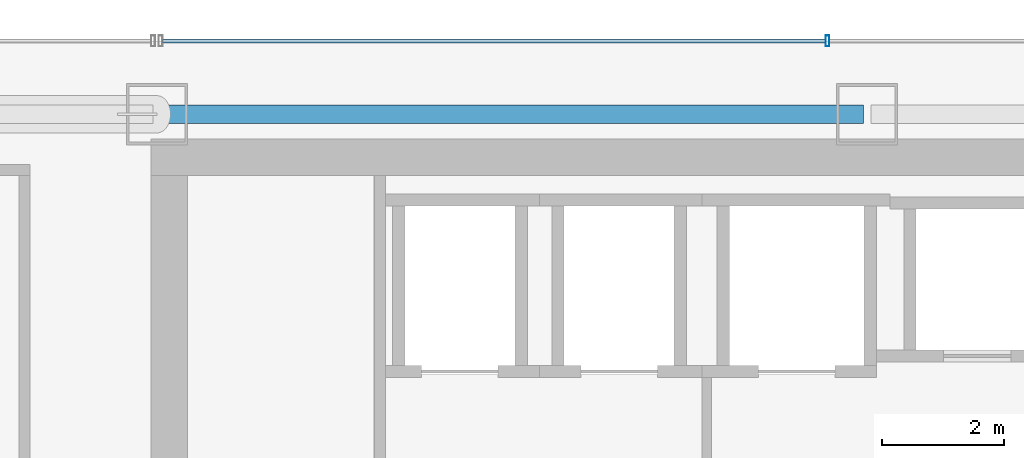
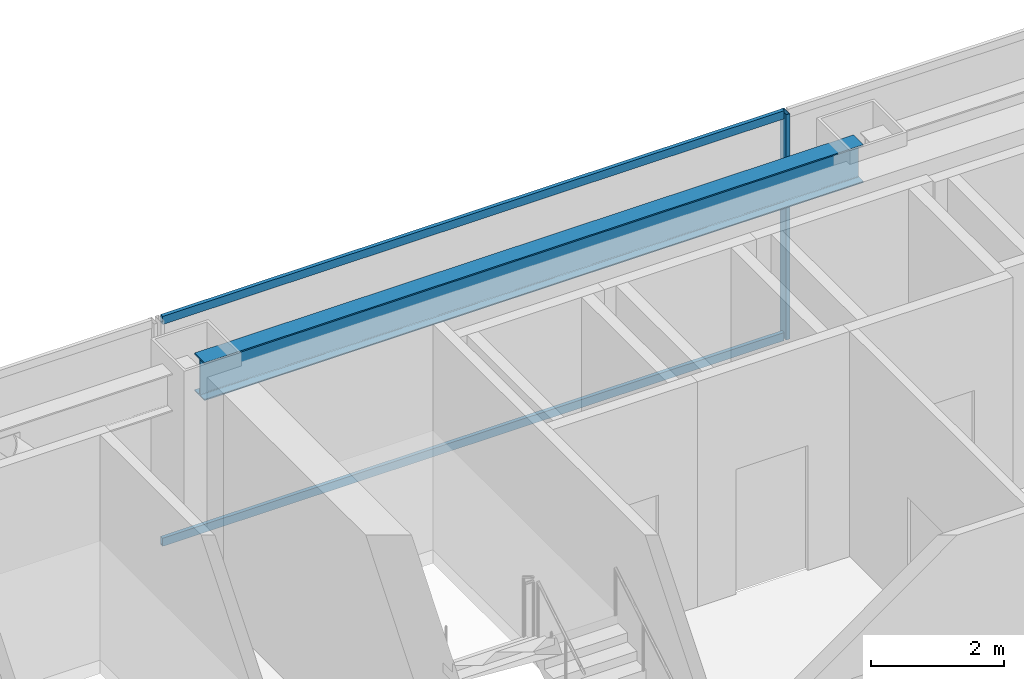
# One storey, part 20 of 35: 3 members, 1 beam, 1 element without a shape of its own.
"""IFC4 building model written with IfcOpenShell, lengths in metres."""

from ifc_helpers import new_model, si_unit, direction, frame, origin, origin_2d, place, context, subcontext, project, spatial, hollow_rectangle, i_section, extrude, material, material_profile, profile_set, type_object, element, aggregate, save


model = new_model("IFC4")

# Units and contexts
model_context = context("Model", 3, precision=1e-05, world=origin(), true_north=direction((0.0, 1.0)))
body_context = subcontext(model_context, "Body", "Model", "MODEL_VIEW")
ifc_project = project(units=[si_unit("LENGTHUNIT", "METRE"), si_unit("AREAUNIT", "SQUARE_METRE"), si_unit("VOLUMEUNIT", "CUBIC_METRE"), si_unit("PLANEANGLEUNIT", "RADIAN"), si_unit("MASSUNIT", "GRAM", prefix="KILO")], contexts=[model_context])

# Site, building, storey
site_placement = place(None, origin())
site = spatial("IfcSite", under=ifc_project, at=site_placement, CompositionType="ELEMENT")
building_placement = place(site_placement, origin())
building = spatial("IfcBuilding", under=site, at=building_placement, Name="Saevonmaru Cultural Tower", CompositionType="ELEMENT")
storey_placement = place(building_placement, frame((0.0, 0.0, 101.60009765625)))
storey = spatial("IfcBuildingStorey", under=building, at=storey_placement, Name="L21", CompositionType="ELEMENT", Elevation=101.60009765625)

# Beam
ifc_material_1 = material(Name="Steel SM355", Category="steel")
ifc_material_profile_1 = material_profile(ifc_material_1, i_section(OverallWidth=0.300048828125, OverallDepth=0.699951171875, WebThickness=0.012939453125, FlangeThickness=0.02392578125, FilletRadius=0.02587890625, at=origin_2d()), Name="H-700x300x13x24")
ifc_profile_set_1 = profile_set([ifc_material_profile_1], Name="Steel SM355")
beam_type = type_object("IfcBeamType", Name="BM-SP-H700", PredefinedType="SPANDREL", material=ifc_profile_set_1)
beam_placement = place(storey_placement, frame((13.659912109375, 54.800048828125, 3.7998046875), z_axis=(1.0, 0.0, 0.0), x_axis=(0.0, 1.0, 0.0)))
element("IfcBeam", 1, at=beam_placement, inside=storey, type_object=beam_type, Name="L21 North Spine Girder 2", PredefinedType="SPANDREL", context=body_context, shape_type="SweptSolid", body=[
    extrude(i_section(OverallWidth=0.300048828125, OverallDepth=0.699951171875, WebThickness=0.012939453125, FlangeThickness=0.02392578125, FilletRadius=0.02587890625, at=origin_2d()), origin(), (0.0, 0.0, 1.0), 11.47998046875),
])

# Curtain wall, members
ifc_material_2 = material(Name="Satin Bronze Anodised Aluminium", Category="aluminium")
curtain_wall_type = type_object("IfcCurtainWallType", Name="CW-TYP-A", PredefinedType="NOTDEFINED", material=ifc_material_2)
curtain_wall_placement = place(storey_placement, origin())
curtain_wall = element("IfcCurtainWall", 2, at=curtain_wall_placement, inside=storey, type_object=curtain_wall_type, Name="L21 North Spine Unitised Curtain Wall E10B", PredefinedType="NOTDEFINED")
ifc_material_profile_2 = material_profile(ifc_material_2, hollow_rectangle(XDim=0.06494140625, YDim=0.179931640625, WallThickness=0.00390625, at=origin_2d()), Name="ALU-MULL-180x65x4")
ifc_profile_set_2 = profile_set([ifc_material_profile_2], Name="Satin Bronze Anodised Aluminium")
member_type_1 = type_object("IfcMemberType", Name="ML-CW-180x65", PredefinedType="MULLION", material=ifc_profile_set_2)
member_1_placement = place(storey_placement, frame((24.55322265625, 56.0, 0.0), z_axis=(0.0, 0.0, 1.0), x_axis=(-1.0, 0.0, 0.0)))
member_1 = element("IfcMember", 3, at=member_1_placement, type_object=member_type_1, Name="CW-TW-L21-E10B mullion 3", PredefinedType="MULLION", context=body_context, shape_type="SweptSolid", body=[
    extrude(hollow_rectangle(XDim=0.06494140625, YDim=0.179931640625, WallThickness=0.00390625, at=origin_2d()), origin(), (0.0, 0.0, 1.0), 4.14990234375),
])
ifc_material_profile_3 = material_profile(ifc_material_2, hollow_rectangle(XDim=0.06494140625, YDim=0.14990234375, WallThickness=0.00390625, at=origin_2d()), Name="ALU-TRAN-150x65x4")
ifc_profile_set_3 = profile_set([ifc_material_profile_3], Name="Satin Bronze Anodised Aluminium")
member_type_2 = type_object("IfcMemberType", Name="TR-CW-150x65", PredefinedType="USERDEFINED", material=ifc_profile_set_3)
member_2_placement = place(storey_placement, frame((24.520751953125, 56.0, 0.032470703125), z_axis=(-1.0, 0.0, 0.0), x_axis=(0.0, -1.0, 0.0)))
member_2 = element("IfcMember", 4, at=member_2_placement, type_object=member_type_2, Name="CW-TW-L21-E10B transom 3.1", ObjectType="TRANSOM", PredefinedType="USERDEFINED", context=body_context, shape_type="SweptSolid", body=[
    extrude(hollow_rectangle(XDim=0.06494140625, YDim=0.14990234375, WallThickness=0.00390625, at=origin_2d()), origin(), (0.0, 0.0, 1.0), 10.828369140625),
])
member_3_placement = place(storey_placement, frame((24.520751953125, 56.0, 4.117431640625), z_axis=(-1.0, 0.0, 0.0), x_axis=(0.0, -1.0, 0.0)))
member_3 = element("IfcMember", 5, at=member_3_placement, type_object=member_type_2, Name="CW-TW-L21-E10B transom 3.2", ObjectType="TRANSOM", PredefinedType="USERDEFINED", context=body_context, shape_type="SweptSolid", body=[
    extrude(hollow_rectangle(XDim=0.06494140625, YDim=0.14990234375, WallThickness=0.00390625, at=origin_2d()), origin(), (0.0, 0.0, 1.0), 10.828369140625),
])
aggregate(curtain_wall, [member_1, member_2, member_3])

save(model, "model.ifc")
